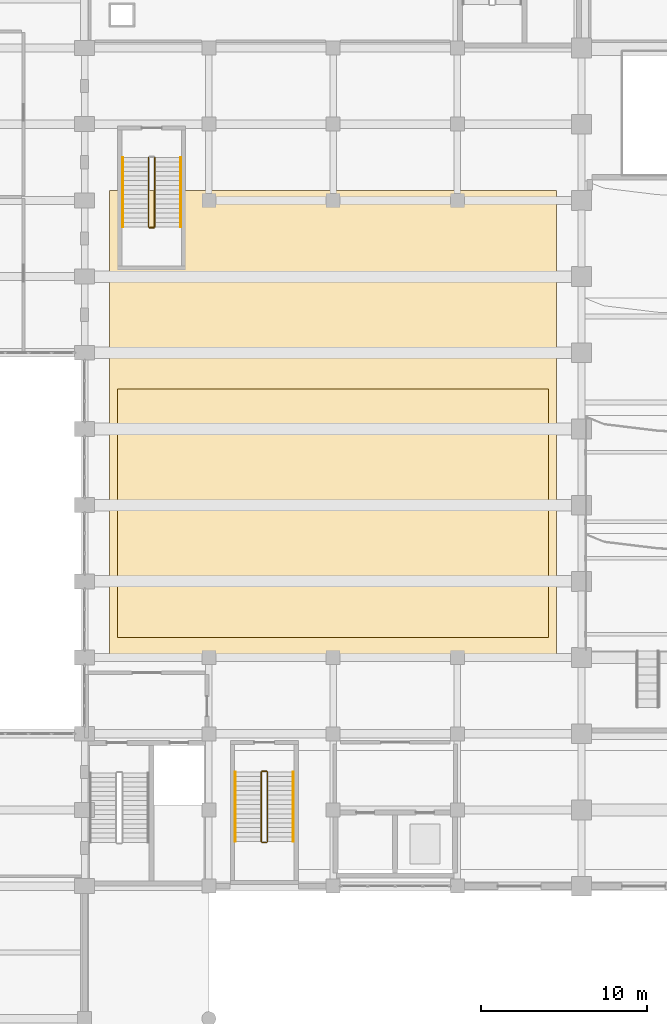
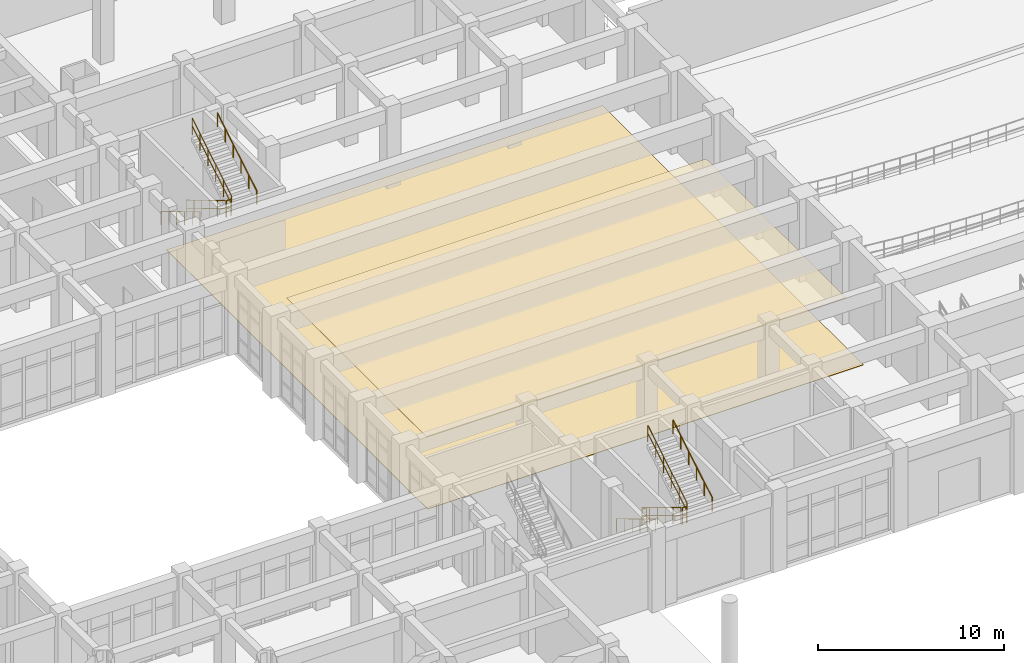
# One storey, part 76 of 84: 11 railings, 2 coverings.
"""IFC4 building model written with IfcOpenShell, lengths in metres."""

from ifc_helpers import new_model, si_unit, direction, frame, origin, origin_2d, place, context, subcontext, project, spatial, polyline, circle, outline, extrude, material, layer, layer_set, type_object, element, save


model = new_model("IFC4")

# Units and contexts
model_context = context("Model", 3, precision=1e-05, world=origin(), true_north=direction((0.0, 1.0)))
body_context = subcontext(model_context, "Body", "Model", "MODEL_VIEW")
ifc_project = project(units=[si_unit("LENGTHUNIT", "METRE"), si_unit("AREAUNIT", "SQUARE_METRE"), si_unit("VOLUMEUNIT", "CUBIC_METRE"), si_unit("PLANEANGLEUNIT", "RADIAN"), si_unit("MASSUNIT", "GRAM", prefix="KILO")], contexts=[model_context])

# Site, building, storey
site_placement = place(None, origin())
site = spatial("IfcSite", under=ifc_project, at=site_placement, CompositionType="ELEMENT")
building_placement = place(site_placement, origin())
building = spatial("IfcBuilding", under=site, at=building_placement, Name="Muzn Square Opera House", CompositionType="ELEMENT")
storey_placement = place(building_placement, origin())
storey = spatial("IfcBuildingStorey", under=building, at=storey_placement, Name="L00", CompositionType="ELEMENT", Elevation=0.0)

# Coverings
ifc_material_1 = material(Name="Acoustic walnut timber panelling", Category="wood")
ifc_layer_1 = layer(ifc_material_1, 0.0400390625, Name="Acoustic walnut timber panelling", Category="wood")
ifc_layer_set_1 = layer_set([ifc_layer_1], Name="Acoustic walnut timber panelling")
covering_type_1 = type_object("IfcCoveringType", Name="Carved Walnut Acoustic Ceiling Cloud", PredefinedType="CEILING", material=ifc_layer_set_1)
covering_1_placement = place(storey_placement, frame((0.0, 0.0, 3.949951171875)))
element("IfcCovering", 1, at=covering_1_placement, inside=storey, type_object=covering_type_1, Name="West Grand Foyer Acoustic Ceiling Cloud", PredefinedType="CEILING", context=body_context, shape_type="SweptSolid", body=[
    extrude(outline(polyline([(45.0, 37.0), (71.0, 37.0), (71.0, 52.0), (45.0, 52.0), (45.0, 37.0)])), origin(), (0.0, 0.0, 1.0), 0.0400390625),
])
ifc_material_2 = material(Name="Polished limestone terrazzo", Category="stone")
ifc_layer_2 = layer(ifc_material_2, 0.030029296875, Name="Polished limestone terrazzo", Category="stone")
ifc_layer_set_2 = layer_set([ifc_layer_2], Name="Polished limestone terrazzo")
covering_type_2 = type_object("IfcCoveringType", Name="Polished Terrazzo Promenade Flooring", PredefinedType="FLOORING", material=ifc_layer_set_2)
covering_2_placement = place(storey_placement, origin())
element("IfcCovering", 2, at=covering_2_placement, inside=storey, type_object=covering_type_2, Name="West Foyer Terrazzo Flooring", PredefinedType="FLOORING", context=body_context, shape_type="SweptSolid", body=[
    extrude(outline(polyline([(44.5, 36.0), (71.5, 36.0), (71.5, 64.0), (44.5, 64.0), (44.5, 36.0)])), origin(), (0.0, 0.0, 1.0), 0.030029296875),
])

# Railings
ifc_material_3 = material(Name="Brushed stainless steel", Category="metal")
railing_type_1 = type_object("IfcRailingType", Name="Stair Guard Railing 1120mm", PredefinedType="GUARDRAIL", material=ifc_material_3)
railing_1_placement = place(storey_placement, frame((46.860107421875, 65.989990234375, 0.168701171875)))
element("IfcRailing", 3, at=railing_1_placement, inside=storey, type_object=railing_type_1, Name="L00 ST-9 stair guard 1", PredefinedType="GUARDRAIL", context=body_context, shape_type="SweptSolid", body=[
    extrude(circle(Radius=0.02392578125, at=origin_2d()), frame((0.0, 0.0, 1.076171875), z_axis=(0.0, -0.856476492594, 0.516186030065), x_axis=(1.0, 0.0, 0.0)), (0.0, 0.0, 1.0), 4.90380859375),
    extrude(circle(Radius=0.02392578125, at=origin_2d()), frame((0.0, 0.0, 0.550048828125), z_axis=(0.0, -0.856476492594, 0.516186030065), x_axis=(1.0, 0.0, 0.0)), (0.0, 0.0, 1.0), 4.90380859375),
    extrude(circle(Radius=0.02099609375, at=origin_2d()), origin(), (0.0, 0.0, 1.0), 1.052001953125),
    extrude(circle(Radius=0.02099609375, at=origin_2d()), frame((0.0, -0.840087890625, 0.50634765625)), (0.0, 0.0, 1.0), 1.052001953125),
    extrude(circle(Radius=0.02099609375, at=origin_2d()), frame((0.0, -1.679931640625, 1.012451171875)), (0.0, 0.0, 1.0), 1.052001953125),
    extrude(circle(Radius=0.02099609375, at=origin_2d()), frame((0.0, -2.52001953125, 1.518798828125)), (0.0, 0.0, 1.0), 1.052001953125),
    extrude(circle(Radius=0.02099609375, at=origin_2d()), frame((0.0, -3.35986328125, 2.02490234375)), (0.0, 0.0, 1.0), 1.052001953125),
    extrude(circle(Radius=0.02099609375, at=origin_2d()), frame((0.0, -4.199951171875, 2.53125)), (0.0, 0.0, 1.0), 1.052001953125),
])
railing_2_placement = place(storey_placement, frame((46.909912109375, 61.739990234375, 2.699951171875)))
element("IfcRailing", 4, at=railing_2_placement, inside=storey, type_object=railing_type_1, Name="L00 ST-9 stair guard 2", PredefinedType="GUARDRAIL", context=body_context, shape_type="SweptSolid", body=[
    extrude(circle(Radius=0.02392578125, at=origin_2d()), frame((0.0, 0.0, 1.076171875), z_axis=(1.0, 0.0, 0.0), x_axis=(0.0, 1.0, 0.0)), (0.0, 0.0, 1.0), 0.280029296875),
    extrude(circle(Radius=0.02392578125, at=origin_2d()), frame((0.0, 0.0, 0.550048828125), z_axis=(1.0, 0.0, 0.0), x_axis=(0.0, 1.0, 0.0)), (0.0, 0.0, 1.0), 0.280029296875),
    extrude(circle(Radius=0.02099609375, at=origin_2d()), origin(), (0.0, 0.0, 1.0), 1.052001953125),
    extrude(circle(Radius=0.02099609375, at=origin_2d()), frame((0.280029296875, 0.0, 0.0)), (0.0, 0.0, 1.0), 1.052001953125),
])
railing_3_placement = place(storey_placement, frame((47.239990234375, 61.7900390625, 2.86865234375)))
element("IfcRailing", 5, at=railing_3_placement, inside=storey, type_object=railing_type_1, Name="L00 ST-9 stair guard 3", PredefinedType="GUARDRAIL", context=body_context, shape_type="SweptSolid", body=[
    extrude(circle(Radius=0.02392578125, at=origin_2d()), frame((0.0, 0.0, 1.076171875), z_axis=(0.0, 0.856476492594, 0.516186030065), x_axis=(-1.0, 0.0, 0.0)), (0.0, 0.0, 1.0), 4.90380859375),
    extrude(circle(Radius=0.02392578125, at=origin_2d()), frame((0.0, 0.0, 0.550048828125), z_axis=(0.0, 0.856476492594, 0.516186030065), x_axis=(-1.0, 0.0, 0.0)), (0.0, 0.0, 1.0), 4.90380859375),
    extrude(circle(Radius=0.02099609375, at=origin_2d()), origin(), (0.0, 0.0, 1.0), 1.052001953125),
    extrude(circle(Radius=0.02099609375, at=origin_2d()), frame((0.0, 0.840087890625, 0.50634765625)), (0.0, 0.0, 1.0), 1.052001953125),
    extrude(circle(Radius=0.02099609375, at=origin_2d()), frame((0.0, 1.679931640625, 1.012451171875)), (0.0, 0.0, 1.0), 1.052001953125),
    extrude(circle(Radius=0.02099609375, at=origin_2d()), frame((0.0, 2.52001953125, 1.518798828125)), (0.0, 0.0, 1.0), 1.052001953125),
    extrude(circle(Radius=0.02099609375, at=origin_2d()), frame((0.0, 3.35986328125, 2.02490234375)), (0.0, 0.0, 1.0), 1.052001953125),
    extrude(circle(Radius=0.02099609375, at=origin_2d()), frame((0.0, 4.199951171875, 2.53125)), (0.0, 0.0, 1.0), 1.052001953125),
])
railing_4_placement = place(storey_placement, frame((53.659912109375, 28.889892578125, 0.168701171875)))
element("IfcRailing", 6, at=railing_4_placement, inside=storey, type_object=railing_type_1, Name="L00 ST-11 stair guard 1", PredefinedType="GUARDRAIL", context=body_context, shape_type="SweptSolid", body=[
    extrude(circle(Radius=0.02392578125, at=origin_2d()), frame((0.0, 0.0, 1.076171875), z_axis=(0.0, -0.856476492594, 0.516186030065), x_axis=(1.0, 0.0, 0.0)), (0.0, 0.0, 1.0), 4.90380859375),
    extrude(circle(Radius=0.02392578125, at=origin_2d()), frame((0.0, 0.0, 0.550048828125), z_axis=(0.0, -0.856476492594, 0.516186030065), x_axis=(1.0, 0.0, 0.0)), (0.0, 0.0, 1.0), 4.90380859375),
    extrude(circle(Radius=0.02099609375, at=origin_2d()), origin(), (0.0, 0.0, 1.0), 1.052001953125),
    extrude(circle(Radius=0.02099609375, at=origin_2d()), frame((0.0, -0.840087890625, 0.50634765625)), (0.0, 0.0, 1.0), 1.052001953125),
    extrude(circle(Radius=0.02099609375, at=origin_2d()), frame((0.0, -1.679931640625, 1.012451171875)), (0.0, 0.0, 1.0), 1.052001953125),
    extrude(circle(Radius=0.02099609375, at=origin_2d()), frame((0.0, -2.52001953125, 1.518798828125)), (0.0, 0.0, 1.0), 1.052001953125),
    extrude(circle(Radius=0.02099609375, at=origin_2d()), frame((0.0, -3.35986328125, 2.02490234375)), (0.0, 0.0, 1.0), 1.052001953125),
    extrude(circle(Radius=0.02099609375, at=origin_2d()), frame((0.0, -4.199951171875, 2.53125)), (0.0, 0.0, 1.0), 1.052001953125),
])
railing_5_placement = place(storey_placement, frame((53.7099609375, 24.639892578125, 2.699951171875)))
element("IfcRailing", 7, at=railing_5_placement, inside=storey, type_object=railing_type_1, Name="L00 ST-11 stair guard 2", PredefinedType="GUARDRAIL", context=body_context, shape_type="SweptSolid", body=[
    extrude(circle(Radius=0.02392578125, at=origin_2d()), frame((0.0, 0.0, 1.076171875), z_axis=(1.0, 0.0, 0.0), x_axis=(0.0, 1.0, 0.0)), (0.0, 0.0, 1.0), 0.280029296875),
    extrude(circle(Radius=0.02392578125, at=origin_2d()), frame((0.0, 0.0, 0.550048828125), z_axis=(1.0, 0.0, 0.0), x_axis=(0.0, 1.0, 0.0)), (0.0, 0.0, 1.0), 0.280029296875),
    extrude(circle(Radius=0.02099609375, at=origin_2d()), origin(), (0.0, 0.0, 1.0), 1.052001953125),
    extrude(circle(Radius=0.02099609375, at=origin_2d()), frame((0.280029296875, 0.0, 0.0)), (0.0, 0.0, 1.0), 1.052001953125),
])
railing_6_placement = place(storey_placement, frame((54.0400390625, 24.68994140625, 2.86865234375)))
element("IfcRailing", 8, at=railing_6_placement, inside=storey, type_object=railing_type_1, Name="L00 ST-11 stair guard 3", PredefinedType="GUARDRAIL", context=body_context, shape_type="SweptSolid", body=[
    extrude(circle(Radius=0.02392578125, at=origin_2d()), frame((0.0, 0.0, 1.076171875), z_axis=(0.0, 0.856476492594, 0.516186030065), x_axis=(-1.0, 0.0, 0.0)), (0.0, 0.0, 1.0), 4.90380859375),
    extrude(circle(Radius=0.02392578125, at=origin_2d()), frame((0.0, 0.0, 0.550048828125), z_axis=(0.0, 0.856476492594, 0.516186030065), x_axis=(-1.0, 0.0, 0.0)), (0.0, 0.0, 1.0), 4.90380859375),
    extrude(circle(Radius=0.02099609375, at=origin_2d()), origin(), (0.0, 0.0, 1.0), 1.052001953125),
    extrude(circle(Radius=0.02099609375, at=origin_2d()), frame((0.0, 0.840087890625, 0.50634765625)), (0.0, 0.0, 1.0), 1.052001953125),
    extrude(circle(Radius=0.02099609375, at=origin_2d()), frame((0.0, 1.679931640625, 1.012451171875)), (0.0, 0.0, 1.0), 1.052001953125),
    extrude(circle(Radius=0.02099609375, at=origin_2d()), frame((0.0, 2.52001953125, 1.518798828125)), (0.0, 0.0, 1.0), 1.052001953125),
    extrude(circle(Radius=0.02099609375, at=origin_2d()), frame((0.0, 3.35986328125, 2.02490234375)), (0.0, 0.0, 1.0), 1.052001953125),
    extrude(circle(Radius=0.02099609375, at=origin_2d()), frame((0.0, 4.199951171875, 2.53125)), (0.0, 0.0, 1.0), 1.052001953125),
])
railing_7_placement = place(storey_placement, frame((53.7099609375, 28.93994140625, 0.0)))
element("IfcRailing", 9, at=railing_7_placement, inside=storey, type_object=railing_type_1, Name="L00 ST-11 stair guard 4", PredefinedType="GUARDRAIL", context=body_context, shape_type="SweptSolid", body=[
    extrude(circle(Radius=0.02392578125, at=origin_2d()), frame((0.0, 0.0, 1.076171875), z_axis=(1.0, 0.0, 0.0), x_axis=(0.0, 1.0, 0.0)), (0.0, 0.0, 1.0), 0.280029296875),
    extrude(circle(Radius=0.02392578125, at=origin_2d()), frame((0.0, 0.0, 0.550048828125), z_axis=(1.0, 0.0, 0.0), x_axis=(0.0, 1.0, 0.0)), (0.0, 0.0, 1.0), 0.280029296875),
    extrude(circle(Radius=0.02099609375, at=origin_2d()), origin(), (0.0, 0.0, 1.0), 1.052001953125),
    extrude(circle(Radius=0.02099609375, at=origin_2d()), frame((0.280029296875, 0.0, 0.0)), (0.0, 0.0, 1.0), 1.052001953125),
])
railing_type_2 = type_object("IfcRailingType", Name="Stair Pitch Handrail 900mm", PredefinedType="HANDRAIL", material=ifc_material_3)
railing_8_placement = place(storey_placement, frame((45.300048828125, 65.989990234375, 0.168701171875)))
element("IfcRailing", 10, at=railing_8_placement, inside=storey, type_object=railing_type_2, Name="L00 ST-9 stair handrail 1", PredefinedType="HANDRAIL", context=body_context, shape_type="SweptSolid", body=[
    extrude(circle(Radius=0.02392578125, at=origin_2d()), frame((0.0, 0.0, 0.8759765625), z_axis=(0.0, -0.856476492594, 0.516186030065), x_axis=(1.0, 0.0, 0.0)), (0.0, 0.0, 1.0), 4.90380859375),
    extrude(circle(Radius=0.02099609375, at=origin_2d()), origin(), (0.0, 0.0, 1.0), 0.851806640625),
    extrude(circle(Radius=0.02099609375, at=origin_2d()), frame((0.0, -0.840087890625, 0.50634765625)), (0.0, 0.0, 1.0), 0.851806640625),
    extrude(circle(Radius=0.02099609375, at=origin_2d()), frame((0.0, -1.679931640625, 1.012451171875)), (0.0, 0.0, 1.0), 0.851806640625),
    extrude(circle(Radius=0.02099609375, at=origin_2d()), frame((0.0, -2.52001953125, 1.518798828125)), (0.0, 0.0, 1.0), 0.851806640625),
    extrude(circle(Radius=0.02099609375, at=origin_2d()), frame((0.0, -3.35986328125, 2.02490234375)), (0.0, 0.0, 1.0), 0.851806640625),
    extrude(circle(Radius=0.02099609375, at=origin_2d()), frame((0.0, -4.199951171875, 2.53125)), (0.0, 0.0, 1.0), 0.851806640625),
])
railing_9_placement = place(storey_placement, frame((48.800048828125, 61.7900390625, 2.86865234375)))
element("IfcRailing", 11, at=railing_9_placement, inside=storey, type_object=railing_type_2, Name="L00 ST-9 stair handrail 2", PredefinedType="HANDRAIL", context=body_context, shape_type="SweptSolid", body=[
    extrude(circle(Radius=0.02392578125, at=origin_2d()), frame((0.0, 0.0, 0.8759765625), z_axis=(0.0, 0.856476492594, 0.516186030065), x_axis=(-1.0, 0.0, 0.0)), (0.0, 0.0, 1.0), 4.90380859375),
    extrude(circle(Radius=0.02099609375, at=origin_2d()), origin(), (0.0, 0.0, 1.0), 0.851806640625),
    extrude(circle(Radius=0.02099609375, at=origin_2d()), frame((0.0, 0.840087890625, 0.50634765625)), (0.0, 0.0, 1.0), 0.851806640625),
    extrude(circle(Radius=0.02099609375, at=origin_2d()), frame((0.0, 1.679931640625, 1.012451171875)), (0.0, 0.0, 1.0), 0.851806640625),
    extrude(circle(Radius=0.02099609375, at=origin_2d()), frame((0.0, 2.52001953125, 1.518798828125)), (0.0, 0.0, 1.0), 0.851806640625),
    extrude(circle(Radius=0.02099609375, at=origin_2d()), frame((0.0, 3.35986328125, 2.02490234375)), (0.0, 0.0, 1.0), 0.851806640625),
    extrude(circle(Radius=0.02099609375, at=origin_2d()), frame((0.0, 4.199951171875, 2.53125)), (0.0, 0.0, 1.0), 0.851806640625),
])
railing_10_placement = place(storey_placement, frame((52.10009765625, 28.889892578125, 0.168701171875)))
element("IfcRailing", 12, at=railing_10_placement, inside=storey, type_object=railing_type_2, Name="L00 ST-11 stair handrail 1", PredefinedType="HANDRAIL", context=body_context, shape_type="SweptSolid", body=[
    extrude(circle(Radius=0.02392578125, at=origin_2d()), frame((0.0, 0.0, 0.8759765625), z_axis=(0.0, -0.856476492594, 0.516186030065), x_axis=(1.0, 0.0, 0.0)), (0.0, 0.0, 1.0), 4.90380859375),
    extrude(circle(Radius=0.02099609375, at=origin_2d()), origin(), (0.0, 0.0, 1.0), 0.851806640625),
    extrude(circle(Radius=0.02099609375, at=origin_2d()), frame((0.0, -0.840087890625, 0.50634765625)), (0.0, 0.0, 1.0), 0.851806640625),
    extrude(circle(Radius=0.02099609375, at=origin_2d()), frame((0.0, -1.679931640625, 1.012451171875)), (0.0, 0.0, 1.0), 0.851806640625),
    extrude(circle(Radius=0.02099609375, at=origin_2d()), frame((0.0, -2.52001953125, 1.518798828125)), (0.0, 0.0, 1.0), 0.851806640625),
    extrude(circle(Radius=0.02099609375, at=origin_2d()), frame((0.0, -3.35986328125, 2.02490234375)), (0.0, 0.0, 1.0), 0.851806640625),
    extrude(circle(Radius=0.02099609375, at=origin_2d()), frame((0.0, -4.199951171875, 2.53125)), (0.0, 0.0, 1.0), 0.851806640625),
])
railing_11_placement = place(storey_placement, frame((55.60009765625, 24.68994140625, 2.86865234375)))
element("IfcRailing", 13, at=railing_11_placement, inside=storey, type_object=railing_type_2, Name="L00 ST-11 stair handrail 2", PredefinedType="HANDRAIL", context=body_context, shape_type="SweptSolid", body=[
    extrude(circle(Radius=0.02392578125, at=origin_2d()), frame((0.0, 0.0, 0.8759765625), z_axis=(0.0, 0.856476492594, 0.516186030065), x_axis=(-1.0, 0.0, 0.0)), (0.0, 0.0, 1.0), 4.90380859375),
    extrude(circle(Radius=0.02099609375, at=origin_2d()), origin(), (0.0, 0.0, 1.0), 0.851806640625),
    extrude(circle(Radius=0.02099609375, at=origin_2d()), frame((0.0, 0.840087890625, 0.50634765625)), (0.0, 0.0, 1.0), 0.851806640625),
    extrude(circle(Radius=0.02099609375, at=origin_2d()), frame((0.0, 1.679931640625, 1.012451171875)), (0.0, 0.0, 1.0), 0.851806640625),
    extrude(circle(Radius=0.02099609375, at=origin_2d()), frame((0.0, 2.52001953125, 1.518798828125)), (0.0, 0.0, 1.0), 0.851806640625),
    extrude(circle(Radius=0.02099609375, at=origin_2d()), frame((0.0, 3.35986328125, 2.02490234375)), (0.0, 0.0, 1.0), 0.851806640625),
    extrude(circle(Radius=0.02099609375, at=origin_2d()), frame((0.0, 4.199951171875, 2.53125)), (0.0, 0.0, 1.0), 0.851806640625),
])

save(model, "model.ifc")
